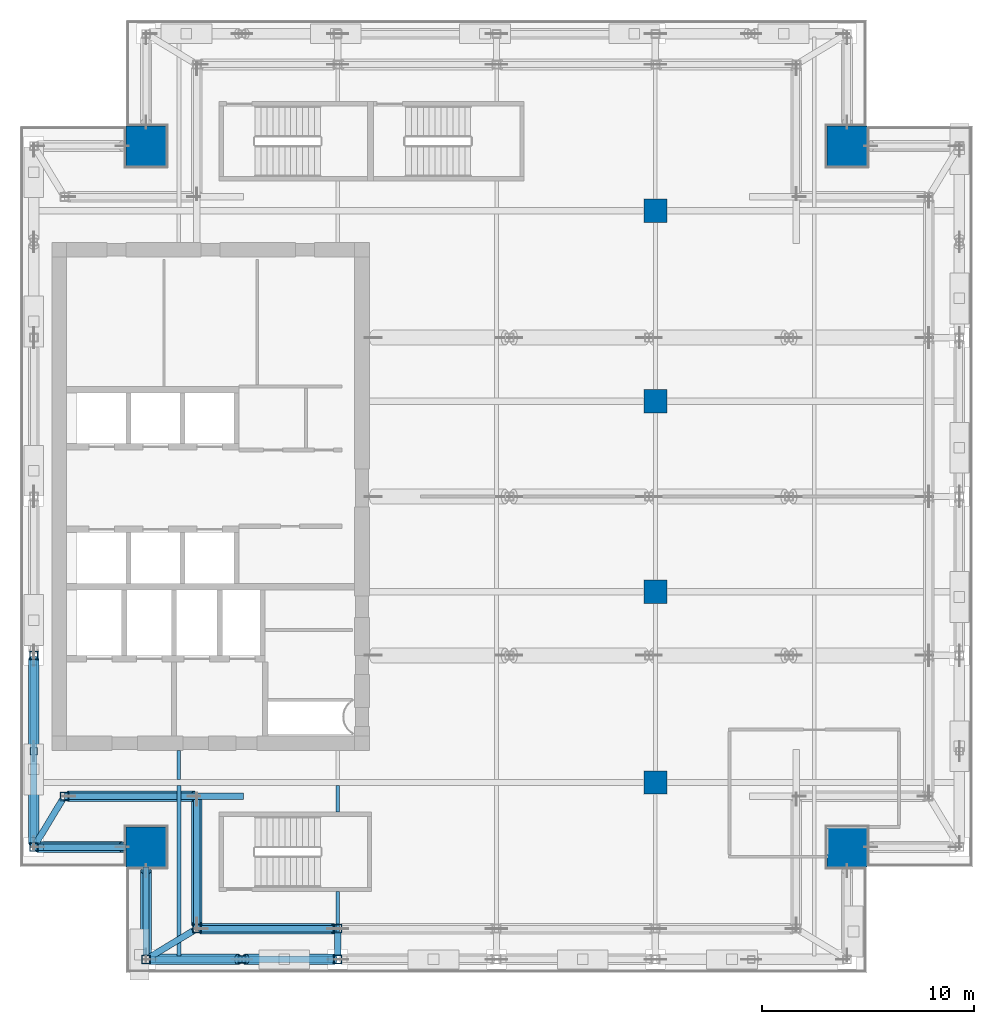
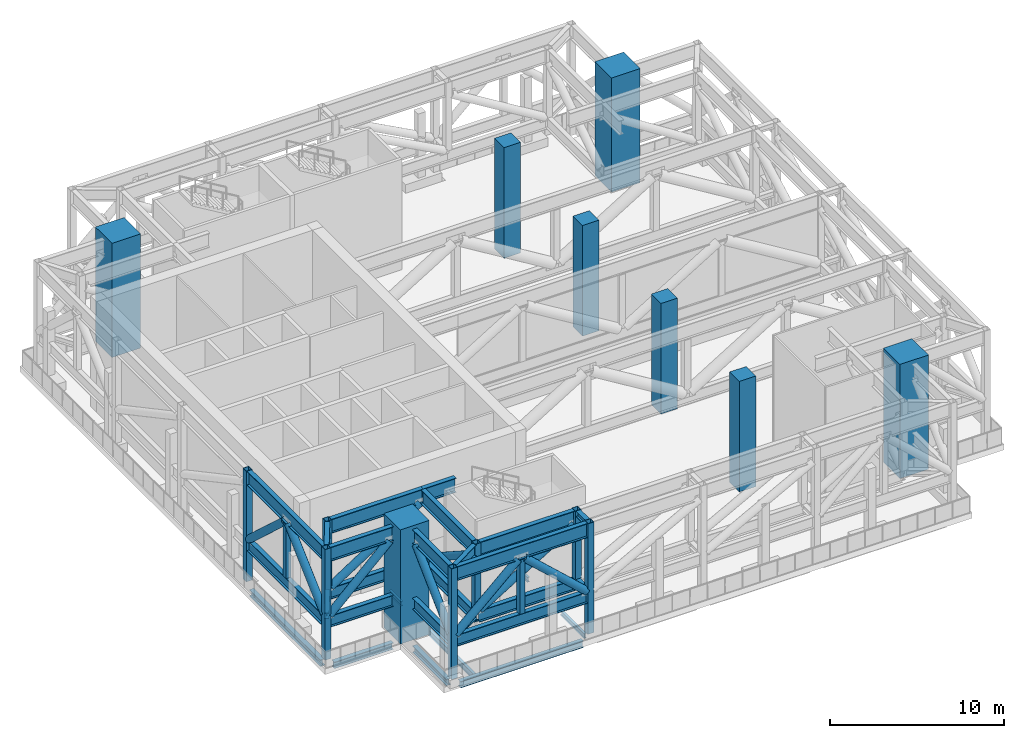
# One storey, part 1 of 15: 33 members, 14 beams, 8 columns.
"""IFC4 building model written with IfcOpenShell, lengths in metres."""

from ifc_helpers import new_model, si_unit, direction, frame, origin, origin_2d, place, context, subcontext, project, spatial, rectangle, hollow_rectangle, hollow_circle, i_section, extrude, source, transform, mapped, material, material_profile, profile_set, type_object, element, save


model = new_model("IFC4")

# Units and contexts
model_context = context("Model", 3, precision=1e-05, world=origin(), true_north=direction((0.0, 1.0)))
body_context = subcontext(model_context, "Body", "Model", "MODEL_VIEW")
ifc_project = project(units=[si_unit("LENGTHUNIT", "METRE"), si_unit("AREAUNIT", "SQUARE_METRE"), si_unit("VOLUMEUNIT", "CUBIC_METRE"), si_unit("PLANEANGLEUNIT", "RADIAN"), si_unit("MASSUNIT", "GRAM", prefix="KILO")], contexts=[model_context])

# Site, building, storey
site_placement = place(None, origin())
site = spatial("IfcSite", under=ifc_project, at=site_placement, CompositionType="ELEMENT")
building_placement = place(site_placement, origin())
building = spatial("IfcBuilding", under=site, at=building_placement, Name="Khomas Fold Tower", CompositionType="ELEMENT")
storey_placement = place(building_placement, frame((0.0, 0.0, 274.199951171875)))
storey = spatial("IfcBuildingStorey", under=building, at=storey_placement, Name="L62", CompositionType="ELEMENT", Elevation=274.199951171875)

# Columns
ifc_material_1 = material(Name="Concrete C60/75", Category="concrete")
ifc_material_profile_1 = material_profile(ifc_material_1, rectangle(XDim=1.89990234375, YDim=1.89990234375, at=origin_2d()), Name="RC 1900x1900")
ifc_profile_set_1 = profile_set([ifc_material_profile_1], Name="Concrete C60/75")
column_type_1 = type_object("IfcColumnType", Name="RC 1900x1900 column", PredefinedType="COLUMN", material=ifc_profile_set_1)
shared_shape_1 = source(origin(), body_context, "Body", "SweptSolid", [
    extrude(rectangle(XDim=1.89990234375, YDim=1.89990234375, at=origin_2d()), origin(), (0.0, 0.0, 1.0), 8.0),
])
for number, where, z_axis, x_axis, name in (
    (1, (43.550048828125, 43.550048828125, 0.0), (0.0, 0.0, 1.0), (1.0, 0.0, 0.0), "CM-NE"),
    (2, (10.449951171875, 43.550048828125, 0.0), (0.0, 0.0, 1.0), (1.0, 0.0, 0.0), "CM-NW"),
    (3, (43.550048828125, 10.449951171875, 0.0), (0.0, 0.0, 1.0), (1.0, 0.0, 0.0), "CM-SE"),
    (4, (10.449951171875, 10.449951171875, 0.0), (0.0, 0.0, 1.0), (1.0, 0.0, 0.0), "CM-SW"),
):
    element("IfcColumn", number, at=place(storey_placement, frame(where, z_axis=z_axis, x_axis=x_axis)), inside=storey, type_object=column_type_1, Name=name, PredefinedType="COLUMN", context=body_context, shape_type="MappedRepresentation", body=[
        mapped(shared_shape_1, transform((0.0, 0.0, 0.0))),
    ])
ifc_material_2 = material(Name="Concrete C50/60", Category="concrete")
ifc_material_profile_2 = material_profile(ifc_material_2, rectangle(XDim=1.10009765625, YDim=1.10009765625, at=origin_2d()), Name="RC 1100x1100")
ifc_profile_set_2 = profile_set([ifc_material_profile_2], Name="Concrete C50/60")
column_type_2 = type_object("IfcColumnType", Name="RC 1100x1100 column", PredefinedType="COLUMN", material=ifc_profile_set_2)
shared_shape_2 = source(origin(), body_context, "Body", "SweptSolid", [
    extrude(rectangle(XDim=1.10009765625, YDim=1.10009765625, at=origin_2d()), origin(), (0.0, 0.0, 1.0), 7.75),
])
for number, where, z_axis, x_axis, name in (
    (5, (34.5, 13.5, 0.0), (0.0, 0.0, 1.0), (1.0, 0.0, 0.0), "C-10-H"),
    (6, (34.5, 22.5, 0.0), (0.0, 0.0, 1.0), (1.0, 0.0, 0.0), "C-10-K"),
    (7, (34.5, 31.5, 0.0), (0.0, 0.0, 1.0), (1.0, 0.0, 0.0), "C-10-M"),
    (8, (34.5, 40.5, 0.0), (0.0, 0.0, 1.0), (1.0, 0.0, 0.0), "C-10-P"),
):
    element("IfcColumn", number, at=place(storey_placement, frame(where, z_axis=z_axis, x_axis=x_axis)), inside=storey, type_object=column_type_2, Name=name, PredefinedType="COLUMN", context=body_context, shape_type="MappedRepresentation", body=[
        mapped(shared_shape_2, transform((0.0, 0.0, 0.0))),
    ])

# Beams
ifc_material_3 = material(Name="Steel S355", Category="steel")
ifc_material_profile_3 = material_profile(ifc_material_3, i_section(OverallWidth=0.159912109375, OverallDepth=0.330078125, WebThickness=0.007568359375, FlangeThickness=0.011474609375, at=origin_2d()), Name="IPE 330")
ifc_profile_set_3 = profile_set([ifc_material_profile_3], Name="Steel S355")
beam_type_1 = type_object("IfcBeamType", Name="IPE 330 beam JB1", PredefinedType="BEAM", material=ifc_profile_set_3)
shared_shape_3 = source(origin(), body_context, "Body", "SweptSolid", [
    extrude(i_section(OverallWidth=0.159912109375, OverallDepth=0.330078125, WebThickness=0.007568359375, FlangeThickness=0.011474609375, at=origin_2d()), origin(), (0.0, 0.0, 1.0), 1.25),
])
beam_1_placement = place(storey_placement, frame((19.5, 12.10009765625, -0.56494140625), z_axis=(0.0, 1.0, 0.0), x_axis=(-1.0, 0.0, 0.0)))
element("IfcBeam", 9, at=beam_1_placement, inside=storey, type_object=beam_type_1, Name="JB1", PredefinedType="BEAM", context=body_context, shape_type="MappedRepresentation", body=[
    mapped(shared_shape_3, transform((0.0, 0.0, 0.0))),
])
shared_shape_4 = source(origin(), body_context, "Body", "SweptSolid", [
    extrude(i_section(OverallWidth=0.159912109375, OverallDepth=0.330078125, WebThickness=0.007568359375, FlangeThickness=0.011474609375, at=origin_2d()), origin(), (0.0, 0.0, 1.0), 1.35009765625),
])
beam_2_placement = place(storey_placement, frame((12.0, 13.64990234375, -0.56494140625), z_axis=(0.0, 1.0, 0.0), x_axis=(-1.0, 0.0, 0.0)))
element("IfcBeam", 10, at=beam_2_placement, inside=storey, type_object=beam_type_1, Name="JB1", PredefinedType="BEAM", context=body_context, shape_type="MappedRepresentation", body=[
    mapped(shared_shape_4, transform((0.0, 0.0, 0.0))),
])
shared_shape_5 = source(origin(), body_context, "Body", "SweptSolid", [
    extrude(i_section(OverallWidth=0.159912109375, OverallDepth=0.330078125, WebThickness=0.007568359375, FlangeThickness=0.011474609375, at=origin_2d()), origin(), (0.0, 0.0, 1.0), 2.75),
])
beam_3_placement = place(storey_placement, frame((19.5, 5.60009765625, -0.56494140625), z_axis=(0.0, 1.0, 0.0), x_axis=(-1.0, 0.0, 0.0)))
element("IfcBeam", 11, at=beam_3_placement, inside=storey, type_object=beam_type_1, Name="JB1", PredefinedType="BEAM", context=body_context, shape_type="MappedRepresentation", body=[
    mapped(shared_shape_5, transform((0.0, 0.0, 0.0))),
])
ifc_material_4 = material(Name="Steel S355", Category="steel")
ifc_material_profile_4 = material_profile(ifc_material_4, i_section(OverallWidth=0.300048828125, OverallDepth=0.449951171875, WebThickness=0.013916015625, FlangeThickness=0.02587890625, at=origin_2d()), Name="HE 450 B")
ifc_profile_set_4 = profile_set([ifc_material_profile_4], Name="Steel S355")
beam_type_2 = type_object("IfcBeamType", Name="HE 450 B spandrel SB4", PredefinedType="SPANDREL", material=ifc_profile_set_4)
shared_shape_6 = source(origin(), body_context, "Body", "SweptSolid", [
    extrude(i_section(OverallWidth=0.300048828125, OverallDepth=0.449951171875, WebThickness=0.013916015625, FlangeThickness=0.02587890625, at=origin_2d()), origin(), (0.0, 0.0, 1.0), 8.150146484375),
])
for number, where, z_axis, x_axis, name in (
    (12, (10.89990234375, 5.14990234375, -0.625), (1.0, 0.0, 0.0), (0.0, 1.0, 0.0), "SB4"),
    (13, (5.14990234375, 10.89990234375, -0.625), (0.0, 1.0, 0.0), (-1.0, 0.0, 0.0), "SB4"),
):
    element("IfcBeam", number, at=place(storey_placement, frame(where, z_axis=z_axis, x_axis=x_axis)), inside=storey, type_object=beam_type_2, Name=name, PredefinedType="SPANDREL", context=body_context, shape_type="MappedRepresentation", body=[
        mapped(shared_shape_6, transform((0.0, 0.0, 0.0))),
    ])
shared_shape_7 = source(origin(), body_context, "Body", "SweptSolid", [
    extrude(i_section(OverallWidth=0.300048828125, OverallDepth=0.449951171875, WebThickness=0.013916015625, FlangeThickness=0.02587890625, at=origin_2d()), origin(), (0.0, 0.0, 1.0), 3.89990234375),
])
for number, where, z_axis, x_axis, name in (
    (14, (5.60009765625, 10.449951171875, -0.625), (1.0, 0.0, 0.0), (0.0, 1.0, 0.0), "SB4"),
    (15, (10.449951171875, 5.60009765625, -0.625), (0.0, 1.0, 0.0), (-1.0, 0.0, 0.0), "SB4"),
):
    element("IfcBeam", number, at=place(storey_placement, frame(where, z_axis=z_axis, x_axis=x_axis)), inside=storey, type_object=beam_type_2, Name=name, PredefinedType="SPANDREL", context=body_context, shape_type="MappedRepresentation", body=[
        mapped(shared_shape_7, transform((0.0, 0.0, 0.0))),
    ])
ifc_material_5 = material(Name="Steel S355", Category="steel")
ifc_material_profile_5 = material_profile(ifc_material_5, i_section(OverallWidth=0.179931640625, OverallDepth=0.39990234375, WebThickness=0.008544921875, FlangeThickness=0.013427734375, at=origin_2d()), Name="IPE 400")
ifc_profile_set_5 = profile_set([ifc_material_profile_5], Name="Steel S355")
beam_type_3 = type_object("IfcBeamType", Name="IPE 400 beam JB3", PredefinedType="BEAM", material=ifc_profile_set_5)
shared_shape_8 = source(origin(), body_context, "Body", "SweptSolid", [
    extrude(i_section(OverallWidth=0.179931640625, OverallDepth=0.39990234375, WebThickness=0.008544921875, FlangeThickness=0.013427734375, at=origin_2d()), origin(), (0.0, 0.0, 1.0), 8.050048828125),
])
beam_4_placement = place(storey_placement, frame((12.0, 5.300048828125, -0.599853515625), z_axis=(0.0, 1.0, 0.0), x_axis=(-1.0, 0.0, 0.0)))
element("IfcBeam", 16, at=beam_4_placement, inside=storey, type_object=beam_type_3, Name="JB3", PredefinedType="BEAM", context=body_context, shape_type="MappedRepresentation", body=[
    mapped(shared_shape_8, transform((0.0, 0.0, 0.0))),
])

# Members
ifc_material_6 = material(Name="Steel S460M", Category="steel")
ifc_material_profile_6 = material_profile(ifc_material_6, i_section(OverallWidth=0.300048828125, OverallDepth=1.0, WebThickness=0.01904296875, FlangeThickness=0.035888671875, at=origin_2d()), Name="HE 1000 B")
ifc_profile_set_6 = profile_set([ifc_material_profile_6], Name="Steel S460M")
member_type_1 = type_object("IfcMemberType", Name="BELT TRUSS 4 TOP CHORD HE 1000 B", PredefinedType="CHORD", material=ifc_profile_set_6)
shared_shape_9 = source(origin(), body_context, "Body", "SweptSolid", [
    extrude(i_section(OverallWidth=0.300048828125, OverallDepth=1.0, WebThickness=0.01904296875, FlangeThickness=0.035888671875, at=origin_2d()), origin(), (0.0, 0.0, 1.0), 8.650146484375),
])
for number, where, z_axis, x_axis, name in (
    (17, (10.64990234375, 5.14990234375, 7.25), (1.0, 0.0, 0.0), (0.0, 1.0, 0.0), "BT4-CT"),
    (18, (5.14990234375, 19.300048828125, 7.25), (0.0, -1.0, 0.0), (1.0, 0.0, 0.0), "BT4-CT"),
):
    element("IfcMember", number, at=place(storey_placement, frame(where, z_axis=z_axis, x_axis=x_axis)), inside=storey, type_object=member_type_1, Name=name, PredefinedType="CHORD", context=body_context, shape_type="MappedRepresentation", body=[
        mapped(shared_shape_9, transform((0.0, 0.0, 0.0))),
    ])
ifc_material_7 = material(Name="Steel S460M", Category="steel")
ifc_material_profile_7 = material_profile(ifc_material_7, i_section(OverallWidth=0.300048828125, OverallDepth=0.800048828125, WebThickness=0.017578125, FlangeThickness=0.032958984375, at=origin_2d()), Name="HE 800 B")
ifc_profile_set_7 = profile_set([ifc_material_profile_7], Name="Steel S460M")
member_type_2 = type_object("IfcMemberType", Name="BELT TRUSS 4 BOTTOM CHORD HE 800 B", PredefinedType="CHORD", material=ifc_profile_set_7)
shared_shape_10 = source(origin(), body_context, "Body", "SweptSolid", [
    extrude(i_section(OverallWidth=0.300048828125, OverallDepth=0.800048828125, WebThickness=0.017578125, FlangeThickness=0.032958984375, at=origin_2d()), origin(), (0.0, 0.0, 1.0), 8.650146484375),
])
for number, where, z_axis, x_axis, name in (
    (19, (10.64990234375, 5.14990234375, 2.550048828125), (1.0, 0.0, 0.0), (0.0, 1.0, 0.0), "BT4-CB"),
    (20, (5.14990234375, 19.300048828125, 2.550048828125), (0.0, -1.0, 0.0), (1.0, 0.0, 0.0), "BT4-CB"),
):
    element("IfcMember", number, at=place(storey_placement, frame(where, z_axis=z_axis, x_axis=x_axis)), inside=storey, type_object=member_type_2, Name=name, PredefinedType="CHORD", context=body_context, shape_type="MappedRepresentation", body=[
        mapped(shared_shape_10, transform((0.0, 0.0, 0.0))),
    ])
ifc_material_8 = material(Name="Steel S355", Category="steel")
ifc_material_profile_8 = material_profile(ifc_material_8, hollow_circle(Radius=0.25390625, WallThickness=0.02001953125, at=origin_2d()), Name="CHS 508x20")
ifc_profile_set_8 = profile_set([ifc_material_profile_8], Name="Steel S355")
member_type_3 = type_object("IfcMemberType", Name="BELT TRUSS 4 DIAGONAL CHS 508x20", PredefinedType="BRACE", material=ifc_profile_set_8)
shared_shape_11 = source(origin(), body_context, "Body", "SweptSolid", [
    extrude(hollow_circle(Radius=0.25390625, WallThickness=0.02001953125, at=origin_2d()), origin(), (0.0, 0.0, 1.0), 5.6337890625),
])
for number, where, z_axis, x_axis, name in (
    (21, (10.64990234375, 5.14990234375, 2.945068359375), (0.736644872109, 0.0, 0.676279773759), (0.0, 1.0, 0.0), "BT4-D"),
    (22, (15.14990234375, 5.14990234375, 6.755126953125), (0.736644872109, 0.0, -0.676279773759), (0.0, 1.0, 0.0), "BT4-D"),
    (23, (5.14990234375, 19.300048828125, 2.945068359375), (0.0, -0.736644872109, 0.676279773759), (1.0, 0.0, 0.0), "BT4-D"),
    (24, (5.14990234375, 14.800048828125, 6.755126953125), (0.0, -0.736644872109, -0.676279773759), (1.0, 0.0, 0.0), "BT4-D"),
):
    element("IfcMember", number, at=place(storey_placement, frame(where, z_axis=z_axis, x_axis=x_axis)), inside=storey, type_object=member_type_3, Name=name, PredefinedType="BRACE", context=body_context, shape_type="MappedRepresentation", body=[
        mapped(shared_shape_11, transform((0.0, 0.0, 0.0))),
    ])
ifc_material_9 = material(Name="Steel S355", Category="steel")
ifc_material_profile_9 = material_profile(ifc_material_9, hollow_rectangle(XDim=0.35009765625, YDim=0.35009765625, WallThickness=0.02001953125, at=origin_2d()), Name="SHS 350x350x20")
ifc_profile_set_9 = profile_set([ifc_material_profile_9], Name="Steel S355")
member_type_4 = type_object("IfcMemberType", Name="BELT TRUSS 4 MID POST SHS 350x350x20", PredefinedType="POST", material=ifc_profile_set_9)
shared_shape_12 = source(origin(), body_context, "Body", "SweptSolid", [
    extrude(hollow_rectangle(XDim=0.35009765625, YDim=0.35009765625, WallThickness=0.02001953125, at=origin_2d()), origin(), (0.0, 0.0, 1.0), 3.800048828125),
])
for number, where, z_axis, x_axis, name in (
    (25, (14.97509765625, 5.14990234375, 2.949951171875), (0.0, 0.0, 1.0), (1.0, 0.0, 0.0), "BT4-M"),
    (26, (5.14990234375, 14.97509765625, 2.949951171875), (0.0, 0.0, 1.0), (1.0, 0.0, 0.0), "BT4-M"),
):
    element("IfcMember", number, at=place(storey_placement, frame(where, z_axis=z_axis, x_axis=x_axis)), inside=storey, type_object=member_type_4, Name=name, PredefinedType="POST", context=body_context, shape_type="MappedRepresentation", body=[
        mapped(shared_shape_12, transform((0.0, 0.0, 0.0))),
    ])
ifc_material_10 = material(Name="Steel S460M", Category="steel")
ifc_material_profile_10 = material_profile(ifc_material_10, i_section(OverallWidth=0.300048828125, OverallDepth=1.0, WebThickness=0.01904296875, FlangeThickness=0.035888671875, at=origin_2d()), Name="HE 1000 B")
ifc_profile_set_10 = profile_set([ifc_material_profile_10], Name="Steel S460M")
member_type_5 = type_object("IfcMemberType", Name="BELT TRUSS 4 TOP CHORD SHORT HE 1000 B", PredefinedType="CHORD", material=ifc_profile_set_10)
shared_shape_13 = source(origin(), body_context, "Body", "SweptSolid", [
    extrude(i_section(OverallWidth=0.300048828125, OverallDepth=1.0, WebThickness=0.01904296875, FlangeThickness=0.035888671875, at=origin_2d()), origin(), (0.0, 0.0, 1.0), 4.14990234375),
])
for number, where, z_axis, x_axis, name in (
    (27, (5.35009765625, 10.449951171875, 7.25), (1.0, 0.0, 0.0), (0.0, 1.0, 0.0), "BT4-CTS"),
    (28, (10.449951171875, 5.35009765625, 7.25), (0.0, 1.0, 0.0), (-1.0, 0.0, 0.0), "BT4-CTS"),
):
    element("IfcMember", number, at=place(storey_placement, frame(where, z_axis=z_axis, x_axis=x_axis)), inside=storey, type_object=member_type_5, Name=name, PredefinedType="CHORD", context=body_context, shape_type="MappedRepresentation", body=[
        mapped(shared_shape_13, transform((0.0, 0.0, 0.0))),
    ])
ifc_material_11 = material(Name="Steel S460M", Category="steel")
ifc_material_profile_11 = material_profile(ifc_material_11, i_section(OverallWidth=0.300048828125, OverallDepth=0.800048828125, WebThickness=0.017578125, FlangeThickness=0.032958984375, at=origin_2d()), Name="HE 800 B")
ifc_profile_set_11 = profile_set([ifc_material_profile_11], Name="Steel S460M")
member_type_6 = type_object("IfcMemberType", Name="BELT TRUSS 4 BOTTOM CHORD SHORT HE 800 B", PredefinedType="CHORD", material=ifc_profile_set_11)
shared_shape_14 = source(origin(), body_context, "Body", "SweptSolid", [
    extrude(i_section(OverallWidth=0.300048828125, OverallDepth=0.800048828125, WebThickness=0.017578125, FlangeThickness=0.032958984375, at=origin_2d()), origin(), (0.0, 0.0, 1.0), 4.14990234375),
])
for number, where, z_axis, x_axis, name in (
    (29, (5.35009765625, 10.449951171875, 2.550048828125), (1.0, 0.0, 0.0), (0.0, 1.0, 0.0), "BT4-CBS"),
    (30, (10.449951171875, 5.35009765625, 2.550048828125), (0.0, 1.0, 0.0), (-1.0, 0.0, 0.0), "BT4-CBS"),
):
    element("IfcMember", number, at=place(storey_placement, frame(where, z_axis=z_axis, x_axis=x_axis)), inside=storey, type_object=member_type_6, Name=name, PredefinedType="CHORD", context=body_context, shape_type="MappedRepresentation", body=[
        mapped(shared_shape_14, transform((0.0, 0.0, 0.0))),
    ])
shared_shape_15 = source(origin(), body_context, "Body", "SweptSolid", [
    extrude(hollow_circle(Radius=0.25390625, WallThickness=0.02001953125, at=origin_2d()), origin(), (0.0, 0.0, 1.0), 5.508544921875),
])
for number, where, z_axis, x_axis, name in (
    (31, (5.35009765625, 10.449951171875, 2.945068359375), (0.722210494752, 0.0, 0.691673334219), (0.0, 1.0, 0.0), "BT4-D"),
    (32, (10.449951171875, 5.35009765625, 2.945068359375), (0.0, 0.722210494752, 0.691673334219), (-1.0, 0.0, 0.0), "BT4-D"),
):
    element("IfcMember", number, at=place(storey_placement, frame(where, z_axis=z_axis, x_axis=x_axis)), inside=storey, type_object=member_type_3, Name=name, PredefinedType="BRACE", context=body_context, shape_type="MappedRepresentation", body=[
        mapped(shared_shape_15, transform((0.0, 0.0, 0.0))),
    ])
shared_shape_16 = source(origin(), body_context, "Body", "SweptSolid", [
    extrude(i_section(OverallWidth=0.300048828125, OverallDepth=1.0, WebThickness=0.01904296875, FlangeThickness=0.035888671875, at=origin_2d()), origin(), (0.0, 0.0, 1.0), 6.25),
])
member_1_placement = place(storey_placement, frame((13.050048828125, 6.60009765625, 7.25), z_axis=(1.0, 0.0, 0.0), x_axis=(0.0, 1.0, 0.0)))
element("IfcMember", 33, at=member_1_placement, inside=storey, type_object=member_type_1, Name="BT4-CT", PredefinedType="CHORD", context=body_context, shape_type="MappedRepresentation", body=[
    mapped(shared_shape_16, transform((0.0, 0.0, 0.0))),
])
shared_shape_17 = source(origin(), body_context, "Body", "SweptSolid", [
    extrude(i_section(OverallWidth=0.300048828125, OverallDepth=0.800048828125, WebThickness=0.017578125, FlangeThickness=0.032958984375, at=origin_2d()), origin(), (0.0, 0.0, 1.0), 6.5),
])
member_2_placement = place(storey_placement, frame((13.0, 6.60009765625, 2.550048828125), z_axis=(1.0, 0.0, 0.0), x_axis=(0.0, 1.0, 0.0)))
element("IfcMember", 34, at=member_2_placement, inside=storey, type_object=member_type_2, Name="BT4-CB", PredefinedType="CHORD", context=body_context, shape_type="MappedRepresentation", body=[
    mapped(shared_shape_17, transform((0.0, 0.0, 0.0))),
])
shared_shape_18 = source(origin(), body_context, "Body", "SweptSolid", [
    extrude(hollow_circle(Radius=0.25390625, WallThickness=0.02001953125, at=origin_2d()), origin(), (0.0, 0.0, 1.0), 7.31982421875),
])
member_3_placement = place(storey_placement, frame((13.050048828125, 6.60009765625, 2.945068359375), z_axis=(0.853851856649, 0.0, 0.520516096674), x_axis=(0.0, 1.0, 0.0)))
element("IfcMember", 35, at=member_3_placement, inside=storey, type_object=member_type_3, Name="BT4-D", PredefinedType="BRACE", context=body_context, shape_type="MappedRepresentation", body=[
    mapped(shared_shape_18, transform((0.0, 0.0, 0.0))),
])
shared_shape_19 = source(origin(), body_context, "Body", "SweptSolid", [
    extrude(i_section(OverallWidth=0.300048828125, OverallDepth=1.0, WebThickness=0.01904296875, FlangeThickness=0.035888671875, at=origin_2d()), origin(), (0.0, 0.0, 1.0), 6.050048828125),
])
member_4_placement = place(storey_placement, frame((6.800048828125, 12.85009765625, 7.25), z_axis=(1.0, 0.0, 0.0), x_axis=(0.0, 1.0, 0.0)))
element("IfcMember", 36, at=member_4_placement, inside=storey, type_object=member_type_5, Name="BT4-CTS", PredefinedType="CHORD", context=body_context, shape_type="MappedRepresentation", body=[
    mapped(shared_shape_19, transform((0.0, 0.0, 0.0))),
])
shared_shape_20 = source(origin(), body_context, "Body", "SweptSolid", [
    extrude(i_section(OverallWidth=0.300048828125, OverallDepth=0.800048828125, WebThickness=0.017578125, FlangeThickness=0.032958984375, at=origin_2d()), origin(), (0.0, 0.0, 1.0), 6.25),
])
member_5_placement = place(storey_placement, frame((6.60009765625, 12.85009765625, 2.550048828125), z_axis=(1.0, 0.0, 0.0), x_axis=(0.0, 1.0, 0.0)))
element("IfcMember", 37, at=member_5_placement, inside=storey, type_object=member_type_2, Name="BT4-CB", PredefinedType="CHORD", context=body_context, shape_type="MappedRepresentation", body=[
    mapped(shared_shape_20, transform((0.0, 0.0, 0.0))),
])
shared_shape_21 = source(origin(), body_context, "Body", "SweptSolid", [
    extrude(hollow_circle(Radius=0.25390625, WallThickness=0.02001953125, at=origin_2d()), origin(), (0.0, 0.0, 1.0), 7.03564453125),
])
member_6_placement = place(storey_placement, frame((6.800048828125, 12.85009765625, 2.945068359375), z_axis=(0.840680917797, 0.0, 0.541530788093), x_axis=(0.0, 1.0, 0.0)))
element("IfcMember", 38, at=member_6_placement, inside=storey, type_object=member_type_3, Name="BT4-D", PredefinedType="BRACE", context=body_context, shape_type="MappedRepresentation", body=[
    mapped(shared_shape_21, transform((0.0, 0.0, 0.0))),
])
shared_shape_22 = source(origin(), body_context, "Body", "SweptSolid", [
    extrude(i_section(OverallWidth=0.300048828125, OverallDepth=1.0, WebThickness=0.01904296875, FlangeThickness=0.035888671875, at=origin_2d()), origin(), (0.0, 0.0, 1.0), 5.89990234375),
])
member_7_placement = place(storey_placement, frame((12.85009765625, 6.800048828125, 7.25), z_axis=(0.0, 1.0, 0.0), x_axis=(-1.0, 0.0, 0.0)))
element("IfcMember", 39, at=member_7_placement, inside=storey, type_object=member_type_5, Name="BT4-CTS", PredefinedType="CHORD", context=body_context, shape_type="MappedRepresentation", body=[
    mapped(shared_shape_22, transform((0.0, 0.0, 0.0))),
])
shared_shape_23 = source(origin(), body_context, "Body", "SweptSolid", [
    extrude(hollow_circle(Radius=0.25390625, WallThickness=0.02001953125, at=origin_2d()), origin(), (0.0, 0.0, 1.0), 7.023193359375),
])
member_8_placement = place(storey_placement, frame((12.85009765625, 6.800048828125, 6.755126953125), z_axis=(0.0, 0.840058520302, -0.542495790277), x_axis=(-1.0, 0.0, 0.0)))
element("IfcMember", 40, at=member_8_placement, inside=storey, type_object=member_type_3, Name="BT4-D", PredefinedType="BRACE", context=body_context, shape_type="MappedRepresentation", body=[
    mapped(shared_shape_23, transform((0.0, 0.0, 0.0))),
])
ifc_material_12 = material(Name="Steel S460M", Category="steel")
ifc_material_profile_12 = material_profile(ifc_material_12, i_section(OverallWidth=0.300048828125, OverallDepth=1.0, WebThickness=0.01904296875, FlangeThickness=0.035888671875, at=origin_2d()), Name="HE 1000 B")
ifc_profile_set_12 = profile_set([ifc_material_profile_12], Name="Steel S460M")
member_type_7 = type_object("IfcMemberType", Name="BELT TRUSS 4 TOP CHORD SHORTER HE 1000 B", PredefinedType="CHORD", material=ifc_profile_set_12)
shared_shape_24 = source(origin(), body_context, "Body", "SweptSolid", [
    extrude(i_section(OverallWidth=0.300048828125, OverallDepth=1.0, WebThickness=0.01904296875, FlangeThickness=0.035888671875, at=origin_2d()), origin(), (0.0, 0.0, 1.0), 2.199951171875),
])
member_9_placement = place(storey_placement, frame((12.85009765625, 12.85009765625, 7.25), z_axis=(1.0, 0.0, 0.0), x_axis=(0.0, 1.0, 0.0)))
element("IfcMember", 41, at=member_9_placement, inside=storey, type_object=member_type_7, Name="BT4-CTSS", PredefinedType="CHORD", context=body_context, shape_type="MappedRepresentation", body=[
    mapped(shared_shape_24, transform((0.0, 0.0, 0.0))),
])
shared_shape_25 = source(origin(), body_context, "Body", "SweptSolid", [
    extrude(i_section(OverallWidth=0.300048828125, OverallDepth=0.800048828125, WebThickness=0.017578125, FlangeThickness=0.032958984375, at=origin_2d()), origin(), (0.0, 0.0, 1.0), 6.099853515625),
])
member_10_placement = place(storey_placement, frame((12.85009765625, 6.60009765625, 2.550048828125), z_axis=(0.0, 1.0, 0.0), x_axis=(-1.0, 0.0, 0.0)))
element("IfcMember", 42, at=member_10_placement, inside=storey, type_object=member_type_6, Name="BT4-CBS", PredefinedType="CHORD", context=body_context, shape_type="MappedRepresentation", body=[
    mapped(shared_shape_25, transform((0.0, 0.0, 0.0))),
])
ifc_material_13 = material(Name="Steel S460M", Category="steel")
ifc_material_profile_13 = material_profile(ifc_material_13, hollow_rectangle(XDim=0.39990234375, YDim=0.39990234375, WallThickness=0.02490234375, at=origin_2d()), Name="SHS 400x400x25")
ifc_profile_set_13 = profile_set([ifc_material_profile_13], Name="Steel S460M")
member_type_8 = type_object("IfcMemberType", Name="BELT TRUSS 4 COLUMN POST SHS 400x400x25", PredefinedType="POST", material=ifc_profile_set_13)
shared_shape_26 = source(origin(), body_context, "Body", "SweptSolid", [
    extrude(hollow_rectangle(XDim=0.39990234375, YDim=0.39990234375, WallThickness=0.02490234375, at=origin_2d()), origin(), (0.0, 0.0, 1.0), 7.75),
])
for number, where, z_axis, x_axis, name in (
    (43, (10.449951171875, 5.14990234375, 0.0), (0.0, 0.0, 1.0), (1.0, 0.0, 0.0), "BT4-P"),
    (44, (19.5, 5.14990234375, 0.0), (0.0, 0.0, 1.0), (1.0, 0.0, 0.0), "BT4-P"),
    (45, (5.14990234375, 19.5, 0.0), (0.0, 0.0, 1.0), (1.0, 0.0, 0.0), "BT4-P"),
    (46, (5.14990234375, 10.449951171875, 0.0), (0.0, 0.0, 1.0), (1.0, 0.0, 0.0), "BT4-P"),
):
    element("IfcMember", number, at=place(storey_placement, frame(where, z_axis=z_axis, x_axis=x_axis)), inside=storey, type_object=member_type_8, Name=name, PredefinedType="POST", context=body_context, shape_type="MappedRepresentation", body=[
        mapped(shared_shape_26, transform((0.0, 0.0, 0.0))),
    ])
ifc_material_14 = material(Name="Steel S460M", Category="steel")
ifc_material_profile_14 = material_profile(ifc_material_14, hollow_rectangle(XDim=0.39990234375, YDim=0.39990234375, WallThickness=0.02490234375, at=origin_2d()), Name="SHS 400x400x25")
ifc_profile_set_14 = profile_set([ifc_material_profile_14], Name="Steel S460M")
member_type_9 = type_object("IfcMemberType", Name="BELT TRUSS 4 COLUMN POST SHORT SHS 400x400x25", PredefinedType="POST", material=ifc_profile_set_14)
shared_shape_27 = source(origin(), body_context, "Body", "SweptSolid", [
    extrude(hollow_rectangle(XDim=0.39990234375, YDim=0.39990234375, WallThickness=0.02490234375, at=origin_2d()), origin(), (0.0, 0.0, 1.0), 4.800048828125),
])
for number, where, z_axis, x_axis, name in (
    (47, (12.85009765625, 6.60009765625, 2.949951171875), (0.0, 0.0, 1.0), (1.0, 0.0, 0.0), "BT4-PS"),
    (48, (19.5, 6.60009765625, 2.949951171875), (0.0, 0.0, 1.0), (1.0, 0.0, 0.0), "BT4-PS"),
    (49, (6.60009765625, 12.85009765625, 2.949951171875), (0.0, 0.0, 1.0), (1.0, 0.0, 0.0), "BT4-PS"),
):
    element("IfcMember", number, at=place(storey_placement, frame(where, z_axis=z_axis, x_axis=x_axis)), inside=storey, type_object=member_type_9, Name=name, PredefinedType="POST", context=body_context, shape_type="MappedRepresentation", body=[
        mapped(shared_shape_27, transform((0.0, 0.0, 0.0))),
    ])

# Beams
ifc_material_15 = material(Name="Steel S460M", Category="steel")
ifc_material_profile_15 = material_profile(ifc_material_15, i_section(OverallWidth=0.300048828125, OverallDepth=0.800048828125, WebThickness=0.017578125, FlangeThickness=0.032958984375, at=origin_2d()), Name="HE 800 B")
ifc_profile_set_15 = profile_set([ifc_material_profile_15], Name="Steel S460M")
beam_type_4 = type_object("IfcBeamType", Name="BELT TRUSS 4 TOP TRANSFER STRUT HE 800 B", PredefinedType="BEAM", material=ifc_profile_set_15)
shared_shape_28 = source(origin(), body_context, "Body", "SweptSolid", [
    extrude(i_section(OverallWidth=0.300048828125, OverallDepth=0.800048828125, WebThickness=0.017578125, FlangeThickness=0.032958984375, at=origin_2d()), origin(), (0.0, 0.0, 1.0), 2.336669921875),
])
for number, where, z_axis, x_axis, name in (
    (50, (12.64990234375, 6.479248046875, 7.35009765625), (-0.855884711906, -0.51716666552, 0.0), (0.51716666552, -0.855884711906, 0.0), "BT4-STD"),
    (51, (6.479248046875, 12.64990234375, 7.35009765625), (-0.51716666552, -0.855884711906, 0.0), (0.855884711906, -0.51716666552, 0.0), "BT4-STD"),
):
    element("IfcBeam", number, at=place(storey_placement, frame(where, z_axis=z_axis, x_axis=x_axis)), inside=storey, type_object=beam_type_4, Name=name, PredefinedType="BEAM", context=body_context, shape_type="MappedRepresentation", body=[
        mapped(shared_shape_28, transform((0.0, 0.0, 0.0))),
    ])
ifc_material_16 = material(Name="Steel S355", Category="steel")
ifc_material_profile_16 = material_profile(ifc_material_16, i_section(OverallWidth=0.300048828125, OverallDepth=0.39990234375, WebThickness=0.013427734375, FlangeThickness=0.02392578125, at=origin_2d()), Name="HE 400 B")
ifc_profile_set_16 = profile_set([ifc_material_profile_16], Name="Steel S355")
beam_type_5 = type_object("IfcBeamType", Name="BELT TRUSS 4 BOTTOM STRUT LONG HE 400 B", PredefinedType="BEAM", material=ifc_profile_set_16)
shared_shape_29 = source(origin(), body_context, "Body", "SweptSolid", [
    extrude(i_section(OverallWidth=0.300048828125, OverallDepth=0.39990234375, WebThickness=0.013427734375, FlangeThickness=0.02392578125, at=origin_2d()), origin(), (0.0, 0.0, 1.0), 2.39501953125),
])
for number, where, z_axis, x_axis, name in (
    (52, (12.699951171875, 6.50927734375, 2.75), (-0.855924001063, -0.51710163837, 0.0), (0.51710163837, -0.855924001063, 0.0), "BT4-SBL"),
    (53, (6.50927734375, 12.699951171875, 2.75), (-0.51710163837, -0.855924001063, 0.0), (0.855924001063, -0.51710163837, 0.0), "BT4-SBL"),
):
    element("IfcBeam", number, at=place(storey_placement, frame(where, z_axis=z_axis, x_axis=x_axis)), inside=storey, type_object=beam_type_5, Name=name, PredefinedType="BEAM", context=body_context, shape_type="MappedRepresentation", body=[
        mapped(shared_shape_29, transform((0.0, 0.0, 0.0))),
    ])
ifc_material_17 = material(Name="Steel S355", Category="steel")
ifc_material_profile_17 = material_profile(ifc_material_17, i_section(OverallWidth=0.300048828125, OverallDepth=0.39990234375, WebThickness=0.013427734375, FlangeThickness=0.02392578125, at=origin_2d()), Name="HE 400 B")
ifc_profile_set_17 = profile_set([ifc_material_profile_17], Name="Steel S355")
beam_type_6 = type_object("IfcBeamType", Name="BELT TRUSS 4 TOP STRUT HE 400 B", PredefinedType="BEAM", material=ifc_profile_set_17)
shared_shape_30 = source(origin(), body_context, "Body", "SweptSolid", [
    extrude(i_section(OverallWidth=0.300048828125, OverallDepth=0.39990234375, WebThickness=0.013427734375, FlangeThickness=0.02392578125, at=origin_2d()), origin(), (0.0, 0.0, 1.0), 1.0498046875),
])
beam_5_placement = place(storey_placement, frame((19.5, 6.39990234375, 7.550048828125), z_axis=(0.0, -1.0, 0.0), x_axis=(1.0, 0.0, 0.0)))
element("IfcBeam", 54, at=beam_5_placement, inside=storey, type_object=beam_type_6, Name="BT4-ST", PredefinedType="BEAM", context=body_context, shape_type="MappedRepresentation", body=[
    mapped(shared_shape_30, transform((0.0, 0.0, 0.0))),
])
ifc_material_18 = material(Name="Steel S355", Category="steel")
ifc_material_profile_18 = material_profile(ifc_material_18, i_section(OverallWidth=0.300048828125, OverallDepth=0.39990234375, WebThickness=0.013427734375, FlangeThickness=0.02392578125, at=origin_2d()), Name="HE 400 B")
ifc_profile_set_18 = profile_set([ifc_material_profile_18], Name="Steel S355")
beam_type_7 = type_object("IfcBeamType", Name="BELT TRUSS 4 BOTTOM STRUT HE 400 B", PredefinedType="BEAM", material=ifc_profile_set_18)
shared_shape_31 = source(origin(), body_context, "Body", "SweptSolid", [
    extrude(i_section(OverallWidth=0.300048828125, OverallDepth=0.39990234375, WebThickness=0.013427734375, FlangeThickness=0.02392578125, at=origin_2d()), origin(), (0.0, 0.0, 1.0), 1.099853515625),
])
beam_6_placement = place(storey_placement, frame((19.5, 6.449951171875, 2.75), z_axis=(0.0, -1.0, 0.0), x_axis=(1.0, 0.0, 0.0)))
element("IfcBeam", 55, at=beam_6_placement, inside=storey, type_object=beam_type_7, Name="BT4-SB", PredefinedType="BEAM", context=body_context, shape_type="MappedRepresentation", body=[
    mapped(shared_shape_31, transform((0.0, 0.0, 0.0))),
])

save(model, "model.ifc")
